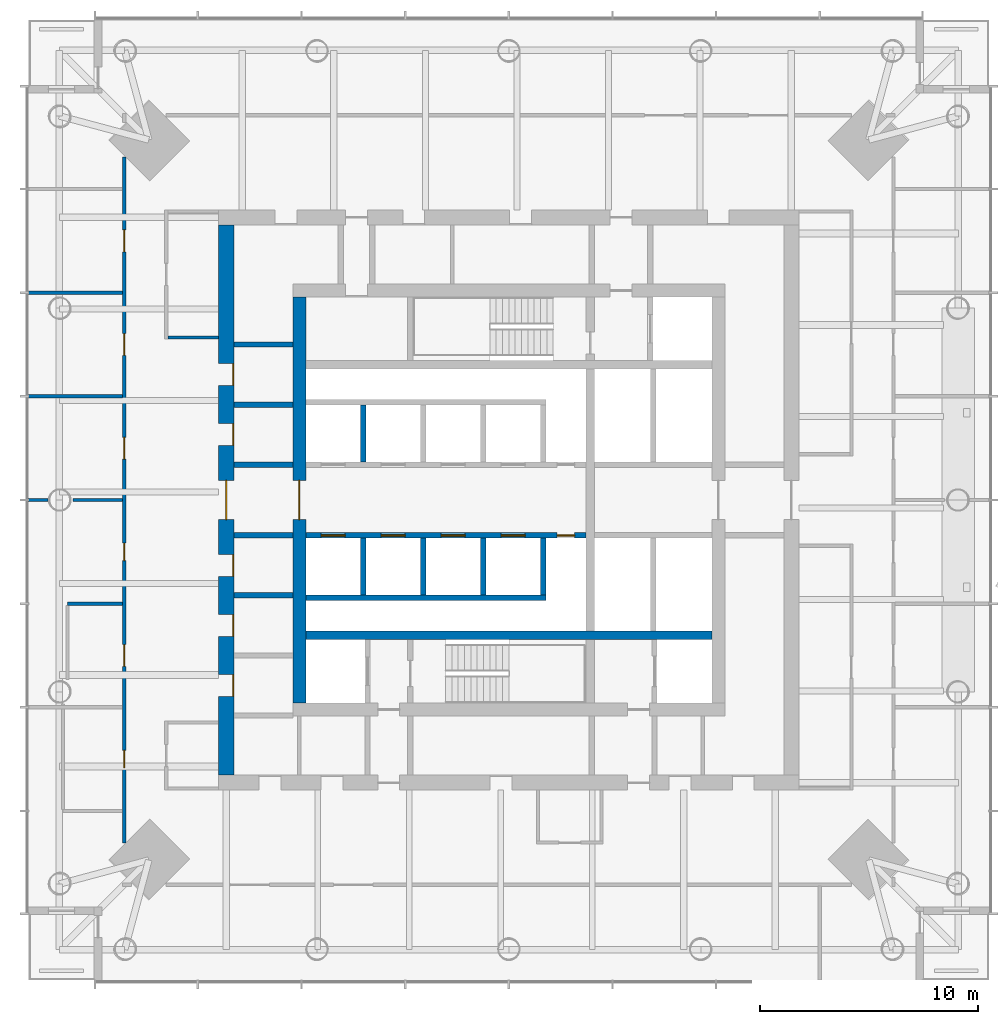
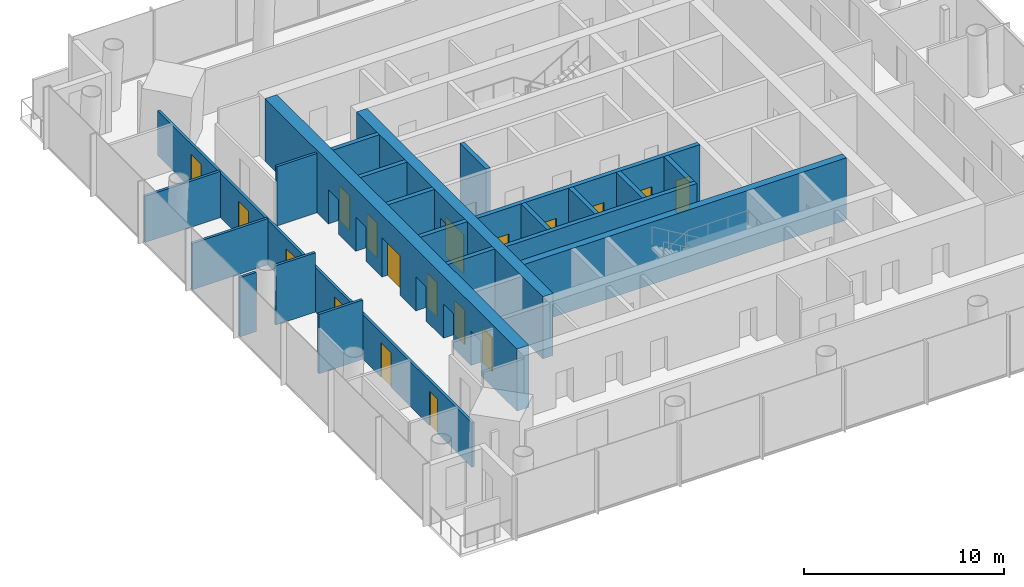
# One storey, part 10 of 19: 22 walls, 18 doors, 18 openings.
"""IFC4 building model written with IfcOpenShell, lengths in metres."""

from ifc_helpers import new_model, si_unit, direction, frame, frame_2d, origin, place, context, subcontext, project, spatial, rectangle, extrude, material, layer, layer_set, type_object, element, fill, save


model = new_model("IFC4")

# Units and contexts
model_context = context("Model", 3, precision=1e-05, world=origin(), true_north=direction((0.0, 1.0)))
body_context = subcontext(model_context, "Body", "Model", "MODEL_VIEW")
ifc_project = project(units=[si_unit("LENGTHUNIT", "METRE"), si_unit("AREAUNIT", "SQUARE_METRE"), si_unit("VOLUMEUNIT", "CUBIC_METRE"), si_unit("PLANEANGLEUNIT", "RADIAN"), si_unit("MASSUNIT", "GRAM", prefix="KILO")], contexts=[model_context])

# Site, building, storey
site_placement = place(None, origin())
site = spatial("IfcSite", under=ifc_project, at=site_placement, CompositionType="ELEMENT")
building_placement = place(site_placement, origin())
building = spatial("IfcBuilding", under=site, at=building_placement, Name="Ostroluk Exchange", CompositionType="ELEMENT")
storey_placement = place(building_placement, frame((0.0, 0.0, 127.39990234375)))
storey = spatial("IfcBuildingStorey", under=building, at=storey_placement, Name="L32", CompositionType="ELEMENT", Elevation=127.39990234375)

# Walls
ifc_material_1 = material(Name="Concrete C50/60", Category="concrete")
ifc_layer_1 = layer(ifc_material_1, 0.39990234375)
ifc_layer_set_1 = layer_set([ifc_layer_1], Name="Core cross wall 400 C50/60")
wall_type_1 = type_object("IfcWallType", Name="Core cross wall 400 C50/60", PredefinedType="SHEAR", material=ifc_layer_set_1)
wall_1_placement = place(storey_placement, frame((35.699951171875, 39.800048828125, 0.0), z_axis=(0.0, 0.0, 1.0), x_axis=(1.0, 0.0, 0.0)))
element("IfcWall", 1, at=wall_1_placement, inside=storey, type_object=wall_type_1, Name="T1 core wall XS", PredefinedType="SHEAR", context=body_context, shape_type="SweptSolid", body=[
    extrude(rectangle(XDim=18.60009765625, YDim=0.39990234375, at=frame_2d((9.300048828125, 0.0))), origin(), (0.0, 0.0, 1.0), 3.800048828125),
])
ifc_material_2 = material(Name="Concrete C40/50", Category="concrete")
ifc_layer_2 = layer(ifc_material_2, 0.25)
ifc_layer_set_2 = layer_set([ifc_layer_2], Name="Core shaft wall 250")
wall_type_2 = type_object("IfcWallType", Name="Core shaft wall 250", PredefinedType="SHEAR", material=ifc_layer_set_2)
for number, where, z_axis, x_axis, name in (
    (2, (38.324951171875, 47.75, 0.0), (0.0, 0.0, 1.0), (0.0, 1.0, 0.0), "Lift shaft wall"),
    (3, (38.324951171875, 44.25, 0.0), (0.0, 0.0, 1.0), (0.0, -1.0, 0.0), "Lift shaft wall"),
    (4, (41.074951171875, 44.25, 0.0), (0.0, 0.0, 1.0), (0.0, -1.0, 0.0), "Lift shaft wall"),
    (5, (43.824951171875, 44.25, 0.0), (0.0, 0.0, 1.0), (0.0, -1.0, 0.0), "Lift shaft wall"),
    (6, (46.574951171875, 44.25, 0.0), (0.0, 0.0, 1.0), (0.0, -1.0, 0.0), "Lift shaft wall"),
):
    element("IfcWall", number, at=place(storey_placement, frame(where, z_axis=z_axis, x_axis=x_axis)), inside=storey, type_object=wall_type_2, Name=name, PredefinedType="SHEAR", context=body_context, shape_type="SweptSolid", body=[
        extrude(rectangle(XDim=2.60009765625, YDim=0.25, at=frame_2d((1.300048828125, 0.0))), origin(), (0.0, 0.0, 1.0), 3.800048828125),
    ])
wall_2_placement = place(storey_placement, frame((35.699951171875, 41.52490234375, 0.0), z_axis=(0.0, 0.0, 1.0), x_axis=(1.0, 0.0, 0.0)))
element("IfcWall", 7, at=wall_2_placement, inside=storey, type_object=wall_type_2, Name="Lift shaft wall", PredefinedType="SHEAR", context=body_context, shape_type="SweptSolid", body=[
    extrude(rectangle(XDim=11.0, YDim=0.25, at=frame_2d((5.5, 0.0))), origin(), (0.0, 0.0, 1.0), 3.800048828125),
])

# Wall, openings, doors
wall_3_placement = place(storey_placement, frame((35.699951171875, 44.375, 0.0), z_axis=(0.0, 0.0, 1.0), x_axis=(1.0, 0.0, 0.0)))
wall_3 = element("IfcWall", 8, at=wall_3_placement, inside=storey, type_object=wall_type_2, Name="Lift shaft front wall", PredefinedType="SHEAR", context=body_context, shape_type="SweptSolid", body=[
    extrude(rectangle(XDim=12.830078125, YDim=0.25, at=frame_2d((6.4150390625, 0.0))), origin(), (0.0, 0.0, 1.0), 3.800048828125),
])
opening_1_placement = place(wall_3_placement, frame((0.699951171875, 0.0, 0.0)))
opening_1 = element("IfcOpeningElement", 9, at=opening_1_placement, cuts=wall_3, Name="Opening LD", PredefinedType="OPENING", context=body_context, shape_type="SweptSolid", body=[
    extrude(rectangle(XDim=1.10009765625, YDim=2.199951171875, at=frame_2d((0.550048828125, 1.10009765625))), frame((0.0, 0.135009765625, 0.0), z_axis=(0.0, -1.0, 0.0), x_axis=(1.0, 0.0, 0.0)), (0.0, 0.0, 1.0), 0.27001953125),
])
opening_2_placement = place(wall_3_placement, frame((3.449951171875, 0.0, 0.0)))
opening_2 = element("IfcOpeningElement", 10, at=opening_2_placement, cuts=wall_3, Name="Opening LD", PredefinedType="OPENING", context=body_context, shape_type="SweptSolid", body=[
    extrude(rectangle(XDim=1.10009765625, YDim=2.199951171875, at=frame_2d((0.550048828125, 1.10009765625))), frame((0.0, 0.135009765625, 0.0), z_axis=(0.0, -1.0, 0.0), x_axis=(1.0, 0.0, 0.0)), (0.0, 0.0, 1.0), 0.27001953125),
])
opening_3_placement = place(wall_3_placement, frame((6.199951171875, 0.0, 0.0)))
opening_3 = element("IfcOpeningElement", 11, at=opening_3_placement, cuts=wall_3, Name="Opening LD", PredefinedType="OPENING", context=body_context, shape_type="SweptSolid", body=[
    extrude(rectangle(XDim=1.10009765625, YDim=2.199951171875, at=frame_2d((0.550048828125, 1.10009765625))), frame((0.0, 0.135009765625, 0.0), z_axis=(0.0, -1.0, 0.0), x_axis=(1.0, 0.0, 0.0)), (0.0, 0.0, 1.0), 0.27001953125),
])
opening_4_placement = place(wall_3_placement, frame((8.949951171875, 0.0, 0.0)))
opening_4 = element("IfcOpeningElement", 12, at=opening_4_placement, cuts=wall_3, Name="Opening LD", PredefinedType="OPENING", context=body_context, shape_type="SweptSolid", body=[
    extrude(rectangle(XDim=1.10009765625, YDim=2.199951171875, at=frame_2d((0.550048828125, 1.10009765625))), frame((0.0, 0.135009765625, 0.0), z_axis=(0.0, -1.0, 0.0), x_axis=(1.0, 0.0, 0.0)), (0.0, 0.0, 1.0), 0.27001953125),
])
opening_5_placement = place(wall_3_placement, frame((11.514892578125, 0.0, 0.0)))
opening_5 = element("IfcOpeningElement", 13, at=opening_5_placement, cuts=wall_3, Name="Opening RD60", PredefinedType="OPENING", context=body_context, shape_type="SweptSolid", body=[
    extrude(rectangle(XDim=0.800048828125, YDim=2.0, at=frame_2d((0.39990234375, 1.0))), frame((0.0, 0.135009765625, 0.0), z_axis=(0.0, -1.0, 0.0), x_axis=(1.0, 0.0, 0.0)), (0.0, 0.0, 1.0), 0.27001953125),
])
ifc_material_3 = material(Name="Stainless steel", Category="steel")
door_type_1 = type_object("IfcDoorType", Name="Lift landing door E 60 1100 x 2200", OperationType="DOUBLE_DOOR_SLIDING", PredefinedType="DOOR", material=ifc_material_3)
door_1_placement = place(opening_1_placement, origin())
door_1 = element("IfcDoor", 14, at=door_1_placement, inside=storey, type_object=door_type_1, Name="Lift PL-M5 landing door", OperationType="DOUBLE_DOOR_SLIDING", OverallHeight=2.199951171875, OverallWidth=1.10009765625, PredefinedType="DOOR", context=body_context, shape_type="SweptSolid", body=[
    extrude(rectangle(XDim=1.10009765625, YDim=2.199951171875, at=frame_2d((0.550048828125, 1.10009765625))), frame((0.0, 0.02490234375, 0.0), z_axis=(0.0, -1.0, 0.0), x_axis=(1.0, 0.0, 0.0)), (0.0, 0.0, 1.0), 0.050048828125),
])
fill(opening_1, door_1)
door_2_placement = place(opening_2_placement, origin())
door_2 = element("IfcDoor", 15, at=door_2_placement, inside=storey, type_object=door_type_1, Name="Lift PL-M6 landing door", OperationType="DOUBLE_DOOR_SLIDING", OverallHeight=2.199951171875, OverallWidth=1.10009765625, PredefinedType="DOOR", context=body_context, shape_type="SweptSolid", body=[
    extrude(rectangle(XDim=1.10009765625, YDim=2.199951171875, at=frame_2d((0.550048828125, 1.10009765625))), frame((0.0, 0.02490234375, 0.0), z_axis=(0.0, -1.0, 0.0), x_axis=(1.0, 0.0, 0.0)), (0.0, 0.0, 1.0), 0.050048828125),
])
fill(opening_2, door_2)
door_3_placement = place(opening_3_placement, origin())
door_3 = element("IfcDoor", 16, at=door_3_placement, inside=storey, type_object=door_type_1, Name="Lift PL-M7 landing door", OperationType="DOUBLE_DOOR_SLIDING", OverallHeight=2.199951171875, OverallWidth=1.10009765625, PredefinedType="DOOR", context=body_context, shape_type="SweptSolid", body=[
    extrude(rectangle(XDim=1.10009765625, YDim=2.199951171875, at=frame_2d((0.550048828125, 1.10009765625))), frame((0.0, 0.02490234375, 0.0), z_axis=(0.0, -1.0, 0.0), x_axis=(1.0, 0.0, 0.0)), (0.0, 0.0, 1.0), 0.050048828125),
])
fill(opening_3, door_3)
door_4_placement = place(opening_4_placement, origin())
door_4 = element("IfcDoor", 17, at=door_4_placement, inside=storey, type_object=door_type_1, Name="Lift PL-M8 landing door", OperationType="DOUBLE_DOOR_SLIDING", OverallHeight=2.199951171875, OverallWidth=1.10009765625, PredefinedType="DOOR", context=body_context, shape_type="SweptSolid", body=[
    extrude(rectangle(XDim=1.10009765625, YDim=2.199951171875, at=frame_2d((0.550048828125, 1.10009765625))), frame((0.0, 0.02490234375, 0.0), z_axis=(0.0, -1.0, 0.0), x_axis=(1.0, 0.0, 0.0)), (0.0, 0.0, 1.0), 0.050048828125),
])
fill(opening_4, door_4)
ifc_material_4 = material(Name="Steel", Category="steel")
door_type_2 = type_object("IfcDoorType", Name="Riser access door EI 60 800 x 2000", OperationType="SINGLE_SWING_LEFT", PredefinedType="DOOR", material=ifc_material_4)
door_5_placement = place(opening_5_placement, origin())
door_5 = element("IfcDoor", 18, at=door_5_placement, inside=storey, type_object=door_type_2, Name="Riser access door", OperationType="SINGLE_SWING_RIGHT", OverallHeight=2.0, OverallWidth=0.800048828125, PredefinedType="DOOR", context=body_context, shape_type="SweptSolid", body=[
    extrude(rectangle(XDim=0.800048828125, YDim=2.0, at=frame_2d((0.39990234375, 1.0))), frame((0.0, 0.02490234375, 0.0), z_axis=(0.0, -1.0, 0.0), x_axis=(1.0, 0.0, 0.0)), (0.0, 0.0, 1.0), 0.050048828125),
])
fill(opening_5, door_5)

# Walls
for number, where, z_axis, x_axis, name in (
    (19, (32.39990234375, 41.625, 0.0), (0.0, 0.0, 1.0), (1.0, 0.0, 0.0), "Lift shaft wall"),
    (20, (32.39990234375, 44.375, 0.0), (0.0, 0.0, 1.0), (1.0, 0.0, 0.0), "Lift shaft wall"),
    (21, (32.39990234375, 47.625, 0.0), (0.0, 0.0, 1.0), (1.0, 0.0, 0.0), "Lift shaft wall"),
    (22, (32.39990234375, 50.375, 0.0), (0.0, 0.0, 1.0), (1.0, 0.0, 0.0), "Lift shaft wall"),
    (23, (32.39990234375, 53.125, 0.0), (0.0, 0.0, 1.0), (1.0, 0.0, 0.0), "Lift shaft wall"),
):
    element("IfcWall", number, at=place(storey_placement, frame(where, z_axis=z_axis, x_axis=x_axis)), inside=storey, type_object=wall_type_2, Name=name, PredefinedType="SHEAR", context=body_context, shape_type="SweptSolid", body=[
        extrude(rectangle(XDim=2.7001953125, YDim=0.25, at=frame_2d((1.35009765625, 0.0))), origin(), (0.0, 0.0, 1.0), 3.800048828125),
    ])

# Wall, opening, door
ifc_material_5 = material(Name="Concrete C50/60", Category="concrete")
ifc_layer_3 = layer(ifc_material_5, 0.60009765625)
ifc_layer_set_3 = layer_set([ifc_layer_3], Name="Core wall 600 C50/60")
wall_type_3 = type_object("IfcWallType", Name="Core wall 600 C50/60", PredefinedType="SHEAR", material=ifc_layer_set_3)
wall_4_placement = place(storey_placement, frame((35.39990234375, 36.699951171875, 0.0), z_axis=(0.0, 0.0, 1.0), x_axis=(0.0, 1.0, 0.0)))
wall_4 = element("IfcWall", 24, at=wall_4_placement, inside=storey, type_object=wall_type_3, Name="T1 core wall W", PredefinedType="SHEAR", context=body_context, shape_type="SweptSolid", body=[
    extrude(rectangle(XDim=18.60009765625, YDim=0.60009765625, at=frame_2d((9.300048828125, 0.0))), origin(), (0.0, 0.0, 1.0), 3.800048828125),
])
opening_6_placement = place(wall_4_placement, frame((8.39990234375, 0.0, 0.0)))
opening_6 = element("IfcOpeningElement", 25, at=opening_6_placement, cuts=wall_4, Name="Opening FD30D", PredefinedType="OPENING", context=body_context, shape_type="SweptSolid", body=[
    extrude(rectangle(XDim=1.800048828125, YDim=2.39990234375, at=frame_2d((0.89990234375, 1.199951171875))), frame((0.0, 0.31005859375, 0.0), z_axis=(0.0, -1.0, 0.0), x_axis=(1.0, 0.0, 0.0)), (0.0, 0.0, 1.0), 0.6201171875),
])
ifc_material_6 = material(Name="Timber", Category="wood")
door_type_3 = type_object("IfcDoorType", Name="Lobby double door EI 30 1800 x 2400", OperationType="DOUBLE_DOOR_SINGLE_SWING", PredefinedType="DOOR", material=ifc_material_6)
door_6_placement = place(opening_6_placement, origin())
door_6 = element("IfcDoor", 26, at=door_6_placement, inside=storey, type_object=door_type_3, Name="Lift lobby doors", OperationType="DOUBLE_DOOR_SINGLE_SWING", OverallHeight=2.39990234375, OverallWidth=1.800048828125, PredefinedType="DOOR", context=body_context, shape_type="SweptSolid", body=[
    extrude(rectangle(XDim=1.800048828125, YDim=2.39990234375, at=frame_2d((0.89990234375, 1.199951171875))), frame((0.0, 0.02490234375, 0.0), z_axis=(0.0, -1.0, 0.0), x_axis=(1.0, 0.0, 0.0)), (0.0, 0.0, 1.0), 0.050048828125),
])
fill(opening_6, door_6)

# Wall, openings, doors
ifc_material_7 = material(Name="Concrete C50/60", Category="concrete")
ifc_layer_4 = layer(ifc_material_7, 0.699951171875)
ifc_layer_set_4 = layer_set([ifc_layer_4], Name="Core wall 700 C50/60")
wall_type_4 = type_object("IfcWallType", Name="Core wall 700 C50/60", PredefinedType="SHEAR", material=ifc_layer_set_4)
wall_5_placement = place(storey_placement, frame((32.050048828125, 33.39990234375, 0.0), z_axis=(0.0, 0.0, 1.0), x_axis=(0.0, 1.0, 0.0)))
wall_5 = element("IfcWall", 27, at=wall_5_placement, inside=storey, type_object=wall_type_4, Name="T1 core wall RW", PredefinedType="SHEAR", context=body_context, shape_type="SweptSolid", body=[
    extrude(rectangle(XDim=25.2001953125, YDim=0.699951171875, at=frame_2d((12.60009765625, 0.0))), origin(), (0.0, 0.0, 1.0), 3.800048828125),
])
opening_7_placement = place(wall_5_placement, frame((11.699951171875, 0.0, 0.0)))
opening_7 = element("IfcOpeningElement", 28, at=opening_7_placement, cuts=wall_5, Name="Opening FD30D", PredefinedType="OPENING", context=body_context, shape_type="SweptSolid", body=[
    extrude(rectangle(XDim=1.800048828125, YDim=2.39990234375, at=frame_2d((0.89990234375, 1.199951171875))), frame((0.0, 0.35986328125, 0.0), z_axis=(0.0, -1.0, 0.0), x_axis=(1.0, 0.0, 0.0)), (0.0, 0.0, 1.0), 0.719970703125),
])
opening_8_placement = place(wall_5_placement, frame((3.60009765625, 0.0, 0.0)))
opening_8 = element("IfcOpeningElement", 29, at=opening_8_placement, cuts=wall_5, Name="Opening FD60", PredefinedType="OPENING", context=body_context, shape_type="SweptSolid", body=[
    extrude(rectangle(XDim=1.0, YDim=2.10009765625, at=frame_2d((0.5, 1.050048828125))), frame((0.0, 0.35986328125, 0.0), z_axis=(0.0, -1.0, 0.0), x_axis=(1.0, 0.0, 0.0)), (0.0, 0.0, 1.0), 0.719970703125),
])
opening_9_placement = place(wall_5_placement, frame((6.35009765625, 0.0, 0.0)))
opening_9 = element("IfcOpeningElement", 30, at=opening_9_placement, cuts=wall_5, Name="Opening FD60", PredefinedType="OPENING", context=body_context, shape_type="SweptSolid", body=[
    extrude(rectangle(XDim=1.0, YDim=2.10009765625, at=frame_2d((0.5, 1.050048828125))), frame((0.0, 0.35986328125, 0.0), z_axis=(0.0, -1.0, 0.0), x_axis=(1.0, 0.0, 0.0)), (0.0, 0.0, 1.0), 0.719970703125),
])
opening_10_placement = place(wall_5_placement, frame((9.10009765625, 0.0, 0.0)))
opening_10 = element("IfcOpeningElement", 31, at=opening_10_placement, cuts=wall_5, Name="Opening FD60", PredefinedType="OPENING", context=body_context, shape_type="SweptSolid", body=[
    extrude(rectangle(XDim=1.0, YDim=2.10009765625, at=frame_2d((0.5, 1.050048828125))), frame((0.0, 0.35986328125, 0.0), z_axis=(0.0, -1.0, 0.0), x_axis=(1.0, 0.0, 0.0)), (0.0, 0.0, 1.0), 0.719970703125),
])
opening_11_placement = place(wall_5_placement, frame((15.10009765625, 0.0, 0.0)))
opening_11 = element("IfcOpeningElement", 32, at=opening_11_placement, cuts=wall_5, Name="Opening FD60", PredefinedType="OPENING", context=body_context, shape_type="SweptSolid", body=[
    extrude(rectangle(XDim=1.0, YDim=2.10009765625, at=frame_2d((0.5, 1.050048828125))), frame((0.0, 0.35986328125, 0.0), z_axis=(0.0, -1.0, 0.0), x_axis=(1.0, 0.0, 0.0)), (0.0, 0.0, 1.0), 0.719970703125),
])
opening_12_placement = place(wall_5_placement, frame((17.85009765625, 0.0, 0.0)))
opening_12 = element("IfcOpeningElement", 33, at=opening_12_placement, cuts=wall_5, Name="Opening FD60", PredefinedType="OPENING", context=body_context, shape_type="SweptSolid", body=[
    extrude(rectangle(XDim=1.0, YDim=2.10009765625, at=frame_2d((0.5, 1.050048828125))), frame((0.0, 0.35986328125, 0.0), z_axis=(0.0, -1.0, 0.0), x_axis=(1.0, 0.0, 0.0)), (0.0, 0.0, 1.0), 0.719970703125),
])
ifc_material_8 = material(Name="Steel", Category="steel")
door_type_4 = type_object("IfcDoorType", Name="Fire door EI 60 1000 x 2100", OperationType="SINGLE_SWING_LEFT", PredefinedType="DOOR", material=ifc_material_8)
door_7_placement = place(opening_8_placement, origin())
door_7 = element("IfcDoor", 34, at=door_7_placement, inside=storey, type_object=door_type_4, Name="Tenant IT room door", OperationType="SINGLE_SWING_LEFT", OverallHeight=2.10009765625, OverallWidth=1.0, PredefinedType="DOOR", context=body_context, shape_type="SweptSolid", body=[
    extrude(rectangle(XDim=1.0, YDim=2.10009765625, at=frame_2d((0.5, 1.050048828125))), frame((0.0, -0.2900390625, 0.0), z_axis=(0.0, -1.0, 0.0), x_axis=(1.0, 0.0, 0.0)), (0.0, 0.0, 1.0), 0.050048828125),
])
fill(opening_8, door_7)
door_8_placement = place(opening_9_placement, origin())
door_8 = element("IfcDoor", 35, at=door_8_placement, inside=storey, type_object=door_type_4, Name="Store door", OperationType="SINGLE_SWING_LEFT", OverallHeight=2.10009765625, OverallWidth=1.0, PredefinedType="DOOR", context=body_context, shape_type="SweptSolid", body=[
    extrude(rectangle(XDim=1.0, YDim=2.10009765625, at=frame_2d((0.5, 1.050048828125))), frame((0.0, -0.2900390625, 0.0), z_axis=(0.0, -1.0, 0.0), x_axis=(1.0, 0.0, 0.0)), (0.0, 0.0, 1.0), 0.050048828125),
])
fill(opening_9, door_8)
door_9_placement = place(opening_10_placement, origin())
door_9 = element("IfcDoor", 36, at=door_9_placement, inside=storey, type_object=door_type_4, Name="Tenant IT room door", OperationType="SINGLE_SWING_LEFT", OverallHeight=2.10009765625, OverallWidth=1.0, PredefinedType="DOOR", context=body_context, shape_type="SweptSolid", body=[
    extrude(rectangle(XDim=1.0, YDim=2.10009765625, at=frame_2d((0.5, 1.050048828125))), frame((0.0, -0.2900390625, 0.0), z_axis=(0.0, -1.0, 0.0), x_axis=(1.0, 0.0, 0.0)), (0.0, 0.0, 1.0), 0.050048828125),
])
fill(opening_10, door_9)
door_10_placement = place(opening_11_placement, origin())
door_10 = element("IfcDoor", 37, at=door_10_placement, inside=storey, type_object=door_type_4, Name="Store door", OperationType="SINGLE_SWING_RIGHT", OverallHeight=2.10009765625, OverallWidth=1.0, PredefinedType="DOOR", context=body_context, shape_type="SweptSolid", body=[
    extrude(rectangle(XDim=1.0, YDim=2.10009765625, at=frame_2d((0.5, 1.050048828125))), frame((0.0, -0.2900390625, 0.0), z_axis=(0.0, -1.0, 0.0), x_axis=(1.0, 0.0, 0.0)), (0.0, 0.0, 1.0), 0.050048828125),
])
fill(opening_11, door_10)
door_11_placement = place(opening_12_placement, origin())
door_11 = element("IfcDoor", 38, at=door_11_placement, inside=storey, type_object=door_type_4, Name="Tenant IT room door", OperationType="SINGLE_SWING_RIGHT", OverallHeight=2.10009765625, OverallWidth=1.0, PredefinedType="DOOR", context=body_context, shape_type="SweptSolid", body=[
    extrude(rectangle(XDim=1.0, YDim=2.10009765625, at=frame_2d((0.5, 1.050048828125))), frame((0.0, -0.2900390625, 0.0), z_axis=(0.0, -1.0, 0.0), x_axis=(1.0, 0.0, 0.0)), (0.0, 0.0, 1.0), 0.050048828125),
])
fill(opening_12, door_11)
door_12_placement = place(opening_7_placement, origin())
door_12 = element("IfcDoor", 39, at=door_12_placement, inside=storey, type_object=door_type_3, Name="Lift lobby doors", OperationType="DOUBLE_DOOR_SINGLE_SWING", OverallHeight=2.39990234375, OverallWidth=1.800048828125, PredefinedType="DOOR", context=body_context, shape_type="SweptSolid", body=[
    extrude(rectangle(XDim=1.800048828125, YDim=2.39990234375, at=frame_2d((0.89990234375, 1.199951171875))), frame((0.0, 0.02490234375, 0.0), z_axis=(0.0, -1.0, 0.0), x_axis=(1.0, 0.0, 0.0)), (0.0, 0.0, 1.0), 0.050048828125),
])
fill(opening_7, door_12)

# Wall
ifc_material_9 = material(Name="Gypsum plasterboard partition", Category="gypsum")
ifc_layer_5 = layer(ifc_material_9, 0.14990234375)
ifc_layer_set_5 = layer_set([ifc_layer_5], Name="Plasterboard partition 150")
wall_type_5 = type_object("IfcWallType", Name="Plasterboard partition 150", PredefinedType="PARTITIONING", material=ifc_layer_set_5)
wall_6_placement = place(storey_placement, frame((31.699951171875, 53.449951171875, 0.0), z_axis=(0.0, 0.0, 1.0), x_axis=(-1.0, 0.0, 0.0)))
element("IfcWall", 40, at=wall_6_placement, inside=storey, type_object=wall_type_5, Name="Partition", PredefinedType="PARTITIONING", context=body_context, shape_type="SweptSolid", body=[
    extrude(rectangle(XDim=2.324951171875, YDim=0.14990234375, at=frame_2d((1.16259765625, 0.0))), origin(), (0.0, 0.0, 1.0), 3.6201171875),
])

# Wall, openings, doors
wall_7_placement = place(storey_placement, frame((27.375, 61.71142578125, 0.0), z_axis=(0.0, 0.0, 1.0), x_axis=(0.0, -1.0, 0.0)))
wall_7 = element("IfcWall", 41, at=wall_7_placement, inside=storey, type_object=wall_type_5, Name="Partition", PredefinedType="PARTITIONING", context=body_context, shape_type="SweptSolid", body=[
    extrude(rectangle(XDim=31.4228515625, YDim=0.14990234375, at=frame_2d((15.71142578125, 0.0))), origin(), (0.0, 0.0, 1.0), 2.72021484375),
])
opening_13_placement = place(wall_7_placement, frame((3.33642578125, 0.0, 0.0)))
opening_13 = element("IfcOpeningElement", 42, at=opening_13_placement, cuts=wall_7, Name="Opening D-03", PredefinedType="OPENING", context=body_context, shape_type="SweptSolid", body=[
    extrude(rectangle(XDim=1.0, YDim=2.10009765625, at=frame_2d((0.5, 1.050048828125))), frame((0.0, 0.0849609375, 0.0), z_axis=(0.0, -1.0, 0.0), x_axis=(1.0, 0.0, 0.0)), (0.0, 0.0, 1.0), 0.169921875),
])
opening_14_placement = place(wall_7_placement, frame((8.08642578125, 0.0, 0.0)))
opening_14 = element("IfcOpeningElement", 43, at=opening_14_placement, cuts=wall_7, Name="Opening D-03", PredefinedType="OPENING", context=body_context, shape_type="SweptSolid", body=[
    extrude(rectangle(XDim=1.0, YDim=2.10009765625, at=frame_2d((0.5, 1.050048828125))), frame((0.0, 0.0849609375, 0.0), z_axis=(0.0, -1.0, 0.0), x_axis=(1.0, 0.0, 0.0)), (0.0, 0.0, 1.0), 0.169921875),
])
opening_15_placement = place(wall_7_placement, frame((12.83642578125, 0.0, 0.0)))
opening_15 = element("IfcOpeningElement", 44, at=opening_15_placement, cuts=wall_7, Name="Opening D-03", PredefinedType="OPENING", context=body_context, shape_type="SweptSolid", body=[
    extrude(rectangle(XDim=1.0, YDim=2.10009765625, at=frame_2d((0.5, 1.050048828125))), frame((0.0, 0.0849609375, 0.0), z_axis=(0.0, -1.0, 0.0), x_axis=(1.0, 0.0, 0.0)), (0.0, 0.0, 1.0), 0.169921875),
])
opening_16_placement = place(wall_7_placement, frame((17.6865234375, 0.0, 0.0)))
opening_16 = element("IfcOpeningElement", 45, at=opening_16_placement, cuts=wall_7, Name="Opening D-06", PredefinedType="OPENING", context=body_context, shape_type="SweptSolid", body=[
    extrude(rectangle(XDim=0.800048828125, YDim=2.10009765625, at=frame_2d((0.39990234375, 1.050048828125))), frame((0.0, 0.0849609375, 0.0), z_axis=(0.0, -1.0, 0.0), x_axis=(1.0, 0.0, 0.0)), (0.0, 0.0, 1.0), 0.169921875),
])
opening_17_placement = place(wall_7_placement, frame((22.33642578125, 0.0, 0.0)))
opening_17 = element("IfcOpeningElement", 46, at=opening_17_placement, cuts=wall_7, Name="Opening D-03", PredefinedType="OPENING", context=body_context, shape_type="SweptSolid", body=[
    extrude(rectangle(XDim=1.0, YDim=2.10009765625, at=frame_2d((0.5, 1.050048828125))), frame((0.0, 0.0849609375, 0.0), z_axis=(0.0, -1.0, 0.0), x_axis=(1.0, 0.0, 0.0)), (0.0, 0.0, 1.0), 0.169921875),
])
opening_18_placement = place(wall_7_placement, frame((27.1865234375, 0.0, 0.0)))
opening_18 = element("IfcOpeningElement", 47, at=opening_18_placement, cuts=wall_7, Name="Opening D-06", PredefinedType="OPENING", context=body_context, shape_type="SweptSolid", body=[
    extrude(rectangle(XDim=0.800048828125, YDim=2.10009765625, at=frame_2d((0.39990234375, 1.050048828125))), frame((0.0, 0.0849609375, 0.0), z_axis=(0.0, -1.0, 0.0), x_axis=(1.0, 0.0, 0.0)), (0.0, 0.0, 1.0), 0.169921875),
])
ifc_material_10 = material(Name="Timber", Category="wood")
door_type_5 = type_object("IfcDoorType", Name="Internal door 1000 x 2100", OperationType="SINGLE_SWING_LEFT", PredefinedType="DOOR", material=ifc_material_10)
door_13_placement = place(opening_13_placement, origin())
door_13 = element("IfcDoor", 48, at=door_13_placement, inside=storey, type_object=door_type_5, Name="Office door", OperationType="SINGLE_SWING_LEFT", OverallHeight=2.10009765625, OverallWidth=1.0, PredefinedType="DOOR", context=body_context, shape_type="SweptSolid", body=[
    extrude(rectangle(XDim=1.0, YDim=2.10009765625, at=frame_2d((0.5, 1.050048828125))), frame((0.0, 0.02490234375, 0.0), z_axis=(0.0, -1.0, 0.0), x_axis=(1.0, 0.0, 0.0)), (0.0, 0.0, 1.0), 0.050048828125),
])
fill(opening_13, door_13)
door_14_placement = place(opening_14_placement, origin())
door_14 = element("IfcDoor", 49, at=door_14_placement, inside=storey, type_object=door_type_5, Name="Meeting room door", OperationType="SINGLE_SWING_LEFT", OverallHeight=2.10009765625, OverallWidth=1.0, PredefinedType="DOOR", context=body_context, shape_type="SweptSolid", body=[
    extrude(rectangle(XDim=1.0, YDim=2.10009765625, at=frame_2d((0.5, 1.050048828125))), frame((0.0, 0.02490234375, 0.0), z_axis=(0.0, -1.0, 0.0), x_axis=(1.0, 0.0, 0.0)), (0.0, 0.0, 1.0), 0.050048828125),
])
fill(opening_14, door_14)
door_15_placement = place(opening_15_placement, origin())
door_15 = element("IfcDoor", 50, at=door_15_placement, inside=storey, type_object=door_type_5, Name="Pantry door", OperationType="SINGLE_SWING_LEFT", OverallHeight=2.10009765625, OverallWidth=1.0, PredefinedType="DOOR", context=body_context, shape_type="SweptSolid", body=[
    extrude(rectangle(XDim=1.0, YDim=2.10009765625, at=frame_2d((0.5, 1.050048828125))), frame((0.0, 0.02490234375, 0.0), z_axis=(0.0, -1.0, 0.0), x_axis=(1.0, 0.0, 0.0)), (0.0, 0.0, 1.0), 0.050048828125),
])
fill(opening_15, door_15)
door_16_placement = place(opening_17_placement, origin())
door_16 = element("IfcDoor", 51, at=door_16_placement, inside=storey, type_object=door_type_5, Name="Accessible WC door", OperationType="SINGLE_SWING_RIGHT", OverallHeight=2.10009765625, OverallWidth=1.0, PredefinedType="DOOR", context=body_context, shape_type="SweptSolid", body=[
    extrude(rectangle(XDim=1.0, YDim=2.10009765625, at=frame_2d((0.5, 1.050048828125))), frame((0.0, 0.02490234375, 0.0), z_axis=(0.0, -1.0, 0.0), x_axis=(1.0, 0.0, 0.0)), (0.0, 0.0, 1.0), 0.050048828125),
])
fill(opening_17, door_16)
ifc_material_11 = material(Name="Timber", Category="wood")
door_type_6 = type_object("IfcDoorType", Name="Toilet door 800 x 2100", OperationType="SINGLE_SWING_LEFT", PredefinedType="DOOR", material=ifc_material_11)
door_17_placement = place(opening_16_placement, origin())
door_17 = element("IfcDoor", 52, at=door_17_placement, inside=storey, type_object=door_type_6, Name="WC female door", OperationType="SINGLE_SWING_RIGHT", OverallHeight=2.10009765625, OverallWidth=0.800048828125, PredefinedType="DOOR", context=body_context, shape_type="SweptSolid", body=[
    extrude(rectangle(XDim=0.800048828125, YDim=2.10009765625, at=frame_2d((0.39990234375, 1.050048828125))), frame((0.0, 0.02490234375, 0.0), z_axis=(0.0, -1.0, 0.0), x_axis=(1.0, 0.0, 0.0)), (0.0, 0.0, 1.0), 0.050048828125),
])
fill(opening_16, door_17)
door_18_placement = place(opening_18_placement, origin())
door_18 = element("IfcDoor", 53, at=door_18_placement, inside=storey, type_object=door_type_6, Name="WC male door", OperationType="SINGLE_SWING_RIGHT", OverallHeight=2.10009765625, OverallWidth=0.800048828125, PredefinedType="DOOR", context=body_context, shape_type="SweptSolid", body=[
    extrude(rectangle(XDim=0.800048828125, YDim=2.10009765625, at=frame_2d((0.39990234375, 1.050048828125))), frame((0.0, 0.02490234375, 0.0), z_axis=(0.0, -1.0, 0.0), x_axis=(1.0, 0.0, 0.0)), (0.0, 0.0, 1.0), 0.050048828125),
])
fill(opening_18, door_18)

# Walls
for number, where, z_axis, x_axis, name in (
    (54, (27.300048828125, 55.5, 0.0), (0.0, 0.0, 1.0), (-1.0, 0.0, 0.0), "Partition"),
    (55, (27.300048828125, 50.75, 0.0), (0.0, 0.0, 1.0), (-1.0, 0.0, 0.0), "Partition"),
):
    element("IfcWall", number, at=place(storey_placement, frame(where, z_axis=z_axis, x_axis=x_axis)), inside=storey, type_object=wall_type_5, Name=name, PredefinedType="PARTITIONING", context=body_context, shape_type="SweptSolid", body=[
        extrude(rectangle(XDim=4.340087890625, YDim=0.14990234375, at=frame_2d((2.169921875, 0.0))), origin(), (0.0, 0.0, 1.0), 2.820068359375),
    ])
wall_8_placement = place(storey_placement, frame((27.300048828125, 46.0, 0.0), z_axis=(0.0, 0.0, 1.0), x_axis=(-1.0, 0.0, 0.0)))
element("IfcWall", 56, at=wall_8_placement, inside=storey, type_object=wall_type_5, Name="Partition", PredefinedType="PARTITIONING", context=body_context, shape_type="SweptSolid", body=[
    extrude(rectangle(XDim=2.2705078125, YDim=0.14990234375, at=frame_2d((1.13525390625, 0.0))), origin(), (0.0, 0.0, 1.0), 3.6201171875),
])
wall_9_placement = place(storey_placement, frame((23.89208984375, 46.0, 0.0), z_axis=(0.0, 0.0, 1.0), x_axis=(-1.0, 0.0, 0.0)))
element("IfcWall", 57, at=wall_9_placement, inside=storey, type_object=wall_type_5, Name="Partition", PredefinedType="PARTITIONING", context=body_context, shape_type="SweptSolid", body=[
    extrude(rectangle(XDim=0.93212890625, YDim=0.14990234375, at=frame_2d((0.466064453125, 0.0))), origin(), (0.0, 0.0, 1.0), 3.6201171875),
])
wall_10_placement = place(storey_placement, frame((27.300048828125, 41.25, 0.0), z_axis=(0.0, 0.0, 1.0), x_axis=(-1.0, 0.0, 0.0)))
element("IfcWall", 58, at=wall_10_placement, inside=storey, type_object=wall_type_5, Name="Partition", PredefinedType="PARTITIONING", context=body_context, shape_type="SweptSolid", body=[
    extrude(rectangle(XDim=2.525146484375, YDim=0.14990234375, at=frame_2d((1.2626953125, 0.0))), origin(), (0.0, 0.0, 1.0), 3.6201171875),
])

save(model, "model.ifc")
